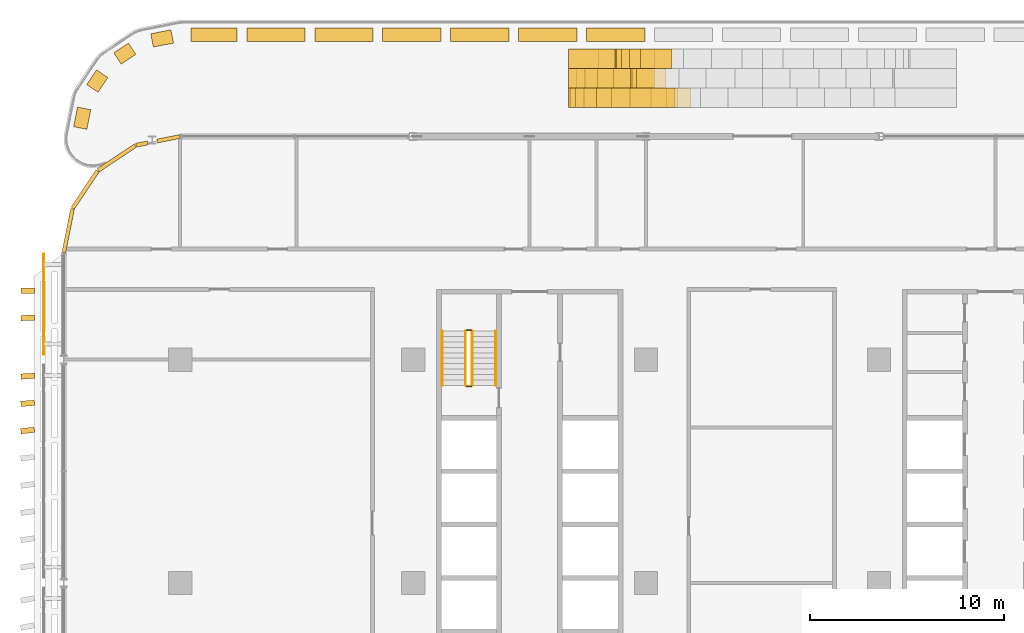
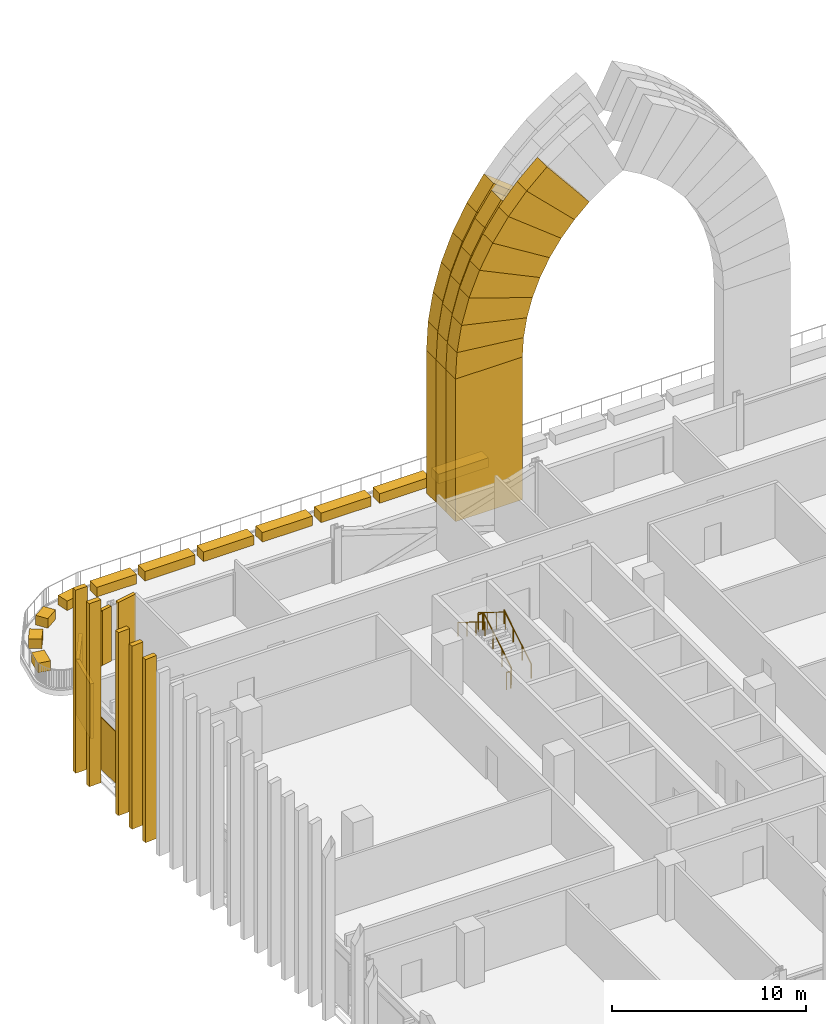
# One storey, part 24 of 30: 45 coverings, 6 railings.
"""IFC4 building model written with IfcOpenShell, lengths in metres."""

from ifc_helpers import new_model, si_unit, direction, frame, origin, origin_2d, place, context, subcontext, project, spatial, polyline, rectangle, circle, outline, extrude, material, layer, layer_set, type_object, element, save


model = new_model("IFC4")

# Units and contexts
model_context = context("Model", 3, precision=1e-05, world=origin(), true_north=direction((0.0, 1.0)))
body_context = subcontext(model_context, "Body", "Model", "MODEL_VIEW")
ifc_project = project(units=[si_unit("LENGTHUNIT", "METRE"), si_unit("AREAUNIT", "SQUARE_METRE"), si_unit("VOLUMEUNIT", "CUBIC_METRE"), si_unit("PLANEANGLEUNIT", "RADIAN"), si_unit("MASSUNIT", "GRAM", prefix="KILO")], contexts=[model_context])

# Site, building, storey
site_placement = place(None, origin())
site = spatial("IfcSite", under=ifc_project, at=site_placement, CompositionType="ELEMENT")
building_placement = place(site_placement, origin())
building = spatial("IfcBuilding", under=site, at=building_placement, Name="Mahtab Terrace Research Tower", CompositionType="ELEMENT")
storey_placement = place(building_placement, frame((0.0, 0.0, 159.199951171875)))
storey = spatial("IfcBuildingStorey", under=building, at=storey_placement, Name="L37", CompositionType="ELEMENT", Elevation=159.199951171875)

# Coverings
ifc_material_1 = material(Name="Black aluminium cladding panel", Category="aluminium")
ifc_layer_1 = layer(ifc_material_1, 0.199951171875)
ifc_layer_set_1 = layer_set([ifc_layer_1], Name="Black metal corner cladding 200")
covering_type_1 = type_object("IfcCoveringType", Name="Black metal corner cladding 200", PredefinedType="CLADDING", material=ifc_layer_set_1)
covering_1_placement = place(storey_placement, frame((-42.603271484375, 22.8798828125, 0.0), z_axis=(0.0, 0.0, 1.0), x_axis=(-0.980760981187, -0.195212442692, 0.0)))
element("IfcCovering", 1, at=covering_1_placement, inside=storey, type_object=covering_type_1, Name="Corner cladding L37 10", PredefinedType="CLADDING", context=body_context, shape_type="SweptSolid", body=[
    extrude(rectangle(XDim=1.1904296875, YDim=0.199951171875, at=origin_2d()), origin(), (0.0, 0.0, 1.0), 3.4599609375),
])
covering_2_placement = place(storey_placement, frame((-43.9716796875, 22.607666015625, 0.0), z_axis=(0.0, 0.0, 1.0), x_axis=(-0.980760981187, -0.195212442692, 0.0)))
element("IfcCovering", 2, at=covering_2_placement, inside=storey, type_object=covering_type_1, Name="Corner cladding L37 11", PredefinedType="CLADDING", context=body_context, shape_type="SweptSolid", body=[
    extrude(rectangle(XDim=0.62158203125, YDim=0.199951171875, at=origin_2d()), origin(), (0.0, 0.0, 1.0), 3.4599609375),
])
for number, where, z_axis, x_axis, name in (
    (3, (-45.26953125, 21.89306640625, 0.0), (0.0, 0.0, 1.0), (-0.831655794326, -0.555291490808, 0.0), "Corner cladding L37 12"),
    (4, (-46.89306640625, 20.26953125, 0.0), (0.0, 0.0, 1.0), (-0.555291490808, -0.831655794326, 0.0), "Corner cladding L37 13"),
    (5, (-47.771484375, 18.14794921875, 0.0), (0.0, 0.0, 1.0), (-0.195212442692, -0.980760981187, 0.0), "Corner cladding L37 14"),
):
    element("IfcCovering", number, at=place(storey_placement, frame(where, z_axis=z_axis, x_axis=x_axis)), inside=storey, type_object=covering_type_1, Name=name, PredefinedType="CLADDING", context=body_context, shape_type="SweptSolid", body=[
        extrude(rectangle(XDim=2.30126953125, YDim=0.199951171875, at=origin_2d()), origin(), (0.0, 0.0, 1.0), 3.4599609375),
    ])
ifc_material_2 = material(Name="Glazed ceramic tile cladding", Category="masonry")
ifc_layer_2 = layer(ifc_material_2, 1.0)
ifc_layer_set_2 = layer_set([ifc_layer_2], Name="Iwan portal cladding arch course 800")
covering_type_2 = type_object("IfcCoveringType", Name="Iwan portal cladding arch course 800", PredefinedType="CLADDING", material=ifc_layer_set_2)
covering_3_placement = place(storey_placement, frame((-18.0, 24.5, 9.030029296875), z_axis=(0.0, -1.0, 0.0), x_axis=(0.054985017031, 0.0, 0.998487179638)))
element("IfcCovering", 6, at=covering_3_placement, inside=storey, type_object=covering_type_2, Name="Iwan portal arch course 4.2.1E1", PredefinedType="CLADDING", context=body_context, shape_type="SweptSolid", body=[
    extrude(outline(polyline([(0.0, 0.0), (1.1988351065344451, 0.0), (1.4227225989084686, 3.9932049750006704), (-0.21994006812347563, 3.993948718553337), (0.0, 0.0)])), origin(), (0.0, 0.0, -1.0), 1.0),
])
covering_4_placement = place(storey_placement, frame((-17.93408203125, 24.5, 10.22705078125), z_axis=(0.0, -1.0, 0.0), x_axis=(0.166150874454, 0.0, 0.98610034323)))
element("IfcCovering", 7, at=covering_4_placement, inside=storey, type_object=covering_type_2, Name="Iwan portal arch course 4.2.1E2", PredefinedType="CLADDING", context=body_context, shape_type="SweptSolid", body=[
    extrude(outline(polyline([(0.0, 0.0), (1.197553789766393, 0.0), (1.4181135708206742, 3.994017136573441), (-0.22346930273874333, 3.993228399721846), (0.0, 0.0)])), origin(), (0.0, 0.0, -1.0), 1.0),
])
covering_5_placement = place(storey_placement, frame((-17.735107421875, 24.5, 11.407958984375), z_axis=(0.0, -1.0, 0.0), x_axis=(0.27445221207, 0.0, 0.961600740063)))
element("IfcCovering", 8, at=covering_5_placement, inside=storey, type_object=covering_type_2, Name="Iwan portal arch course 4.2.1E3", PredefinedType="CLADDING", context=body_context, shape_type="SweptSolid", body=[
    extrude(outline(polyline([(0.0, 0.0), (1.199121552047934, -5.551115123125783e-17), (1.4192913169246821, 3.994830472077114), (-0.2236030718774017, 3.9938479152952238), (0.0, 0.0)])), origin(), (0.0, 0.0, -1.0), 1.0),
])
covering_6_placement = place(storey_placement, frame((-17.406005859375, 24.5, 12.56103515625), z_axis=(0.0, -1.0, 0.0), x_axis=(0.378894584759, 0.0, 0.925439837937)))
element("IfcCovering", 9, at=covering_6_placement, inside=storey, type_object=covering_type_2, Name="Iwan portal arch course 4.2.1E4", PredefinedType="CLADDING", context=body_context, shape_type="SweptSolid", body=[
    extrude(outline(polyline([(0.0, 0.0), (1.198490505712443, 0.0), (1.4207259835922814, 3.994062298232907), (-0.22202973205685494, 3.994727528140624), (0.0, 0.0)])), origin(), (0.0, 0.0, -1.0), 1.0),
])
covering_7_placement = place(storey_placement, frame((-16.951904296875, 24.5, 13.670166015625), z_axis=(0.0, -1.0, 0.0), x_axis=(0.478952042529, 0.0, 0.877841068165)))
element("IfcCovering", 10, at=covering_7_placement, inside=storey, type_object=covering_type_2, Name="Iwan portal arch course 4.2.1E5", PredefinedType="CLADDING", context=body_context, shape_type="SweptSolid", body=[
    extrude(outline(polyline([(0.0, 0.0), (1.1983968297629959, 0.0), (1.4202998293334266, 3.994376096565172), (-0.22100012408733938, 3.9941308434936618), (0.0, 0.0)])), origin(), (0.0, 0.0, -1.0), 1.0),
])
covering_8_placement = place(storey_placement, frame((-16.3779296875, 24.5, 14.72216796875), z_axis=(0.0, -1.0, 0.0), x_axis=(0.573270912999, 0.0, 0.819365889154)))
element("IfcCovering", 11, at=covering_8_placement, inside=storey, type_object=covering_type_2, Name="Iwan portal arch course 4.2.1E6", PredefinedType="CLADDING", context=body_context, shape_type="SweptSolid", body=[
    extrude(outline(polyline([(0.0, 0.0), (1.1984067273820767, 1.1102230246251565e-16), (1.420868574657454, 3.9940037544427716), (-0.22205539999335344, 3.9943676272175255), (0.0, 0.0)])), origin(), (0.0, 0.0, -1.0), 1.0),
])
covering_9_placement = place(storey_placement, frame((-15.69091796875, 24.5, 15.7041015625), z_axis=(0.0, -1.0, 0.0), x_axis=(0.660664622218, 0.0, 0.750681195282)))
element("IfcCovering", 12, at=covering_9_placement, inside=storey, type_object=covering_type_2, Name="Iwan portal arch course 4.2.1E7", PredefinedType="CLADDING", context=body_context, shape_type="SweptSolid", body=[
    extrude(outline(polyline([(0.0, 0.0), (1.1987809863973395, -1.1102230246251565e-16), (1.4201413711254838, 3.994099992173581), (-0.22217640653792659, 3.994019642962966), (0.0, 0.0)])), origin(), (0.0, 0.0, -1.0), 1.0),
])
covering_10_placement = place(storey_placement, frame((-14.89892578125, 24.5, 16.60400390625), z_axis=(0.0, -1.0, 0.0), x_axis=(0.739644885343, 0.0, 0.672997357785)))
element("IfcCovering", 13, at=covering_10_placement, inside=storey, type_object=covering_type_2, Name="Iwan portal arch course 4.2.1E8", PredefinedType="CLADDING", context=body_context, shape_type="SweptSolid", body=[
    extrude(outline(polyline([(0.0, 0.0), (1.1978536533976254, 0.0), (1.4207535952303463, 3.9937987713876453), (-0.2217931901812702, 3.9940759817756604), (0.0, 0.0)])), origin(), (0.0, 0.0, -1.0), 1.0),
])
covering_11_placement = place(storey_placement, frame((-18.800048828125, 25.5, 9.030029296875), z_axis=(0.0, -1.0, 0.0), x_axis=(0.055191226399, 0.0, 0.998475802676)))
element("IfcCovering", 14, at=covering_11_placement, inside=storey, type_object=covering_type_2, Name="Iwan portal arch course 4.2.2E1", PredefinedType="CLADDING", context=body_context, shape_type="SweptSolid", body=[
    extrude(outline(polyline([(0.0, 0.0), (1.3580269322667167, 0.0), (1.536962013624163, 3.1946766047444584), (-0.17660922959347186, 3.1950738148604), (0.0, 0.0)])), origin(), (0.0, 0.0, -1.0), 1.0),
])
covering_12_placement = place(storey_placement, frame((-18.72509765625, 25.5, 10.385986328125), z_axis=(0.0, -1.0, 0.0), x_axis=(0.166350474781, 0.0, 0.986066691223)))
element("IfcCovering", 15, at=covering_12_placement, inside=storey, type_object=covering_type_2, Name="Iwan portal arch course 4.2.2E2", PredefinedType="CLADDING", context=body_context, shape_type="SweptSolid", body=[
    extrude(outline(polyline([(0.0, 0.0), (1.3590235858818585, 2.7755575615628914e-17), (1.5337160661791445, 3.195656559120512), (-0.17894872191981426, 3.1946758407020326), (0.0, 0.0)])), origin(), (0.0, 0.0, -1.0), 1.0),
])
covering_13_placement = place(storey_placement, frame((-18.4990234375, 25.5, 11.72607421875), z_axis=(0.0, -1.0, 0.0), x_axis=(0.274008654418, 0.0, 0.961727226039)))
element("IfcCovering", 16, at=covering_13_placement, inside=storey, type_object=covering_type_2, Name="Iwan portal arch course 4.2.2E3", PredefinedType="CLADDING", context=body_context, shape_type="SweptSolid", body=[
    extrude(outline(polyline([(0.0, 0.0), (1.3578779593295613, 0.0), (1.5353999246498446, 3.194843873509826), (-0.1785554394605402, 3.195443046208369), (0.0, 0.0)])), origin(), (0.0, 0.0, -1.0), 1.0),
])
covering_14_placement = place(storey_placement, frame((-18.126953125, 25.5, 13.031982421875), z_axis=(0.0, -1.0, 0.0), x_axis=(0.378415838613, 0.0, 0.925635702146)))
element("IfcCovering", 17, at=covering_14_placement, inside=storey, type_object=covering_type_2, Name="Iwan portal arch course 4.2.2E4", PredefinedType="CLADDING", context=body_context, shape_type="SweptSolid", body=[
    extrude(outline(polyline([(0.0, 0.0), (1.3580721607980304, 0.0), (1.5376096745140528, 3.194405582655918), (-0.17595449056700674, 3.1949305847739087), (0.0, 0.0)])), origin(), (0.0, 0.0, -1.0), 1.0),
])
covering_15_placement = place(storey_placement, frame((-17.613037109375, 25.5, 14.2890625), z_axis=(0.0, -1.0, 0.0), x_axis=(0.47941878879, 0.0, 0.877586249297)))
element("IfcCovering", 18, at=covering_15_placement, inside=storey, type_object=covering_type_2, Name="Iwan portal arch course 4.2.2E5", PredefinedType="CLADDING", context=body_context, shape_type="SweptSolid", body=[
    extrude(outline(polyline([(0.0, 0.0), (1.3581508737233285, 1.1102230246251565e-16), (1.535112282874346, 3.194936984609274), (-0.1783195243449227, 3.1944738052724784), (0.0, 0.0)])), origin(), (0.0, 0.0, -1.0), 1.0),
])
covering_16_placement = place(storey_placement, frame((-16.9619140625, 25.5, 15.48095703125), z_axis=(0.0, -1.0, 0.0), x_axis=(0.573305531521, 0.0, 0.819341667149)))
element("IfcCovering", 19, at=covering_16_placement, inside=storey, type_object=covering_type_2, Name="Iwan portal arch course 4.2.2E6", PredefinedType="CLADDING", context=body_context, shape_type="SweptSolid", body=[
    extrude(outline(polyline([(0.0, 0.0), (1.3584529555876084, 0.0), (1.5359713438313862, 3.1948105649984546), (-0.17657538685367147, 3.194958342249612), (0.0, 0.0)])), origin(), (0.0, 0.0, -1.0), 1.0),
])
covering_17_placement = place(storey_placement, frame((-19.60009765625, 26.5, 9.030029296875), z_axis=(0.0, -1.0, 0.0), x_axis=(0.055309729531, 0.0, 0.998469245305)))
element("IfcCovering", 20, at=covering_17_placement, inside=storey, type_object=covering_type_2, Name="Iwan portal arch course 4.2.3E1", PredefinedType="CLADDING", context=body_context, shape_type="SweptSolid", body=[
    extrude(outline(polyline([(0.0, 0.0), (1.5184376367921015, 0.0), (1.6519990552692072, 2.3958202840807363), (-0.13273794953257928, 2.3962286819689456), (0.0, 0.0)])), origin(), (0.0, 0.0, -1.0), 1.0),
])
covering_18_placement = place(storey_placement, frame((-19.51611328125, 26.5, 10.546142578125), z_axis=(0.0, -1.0, 0.0), x_axis=(0.16614621839, 0.0, 0.986101127732)))
element("IfcCovering", 21, at=covering_18_placement, inside=storey, type_object=covering_type_2, Name="Iwan portal arch course 4.2.3E2", PredefinedType="CLADDING", context=body_context, shape_type="SweptSolid", body=[
    extrude(outline(polyline([(0.0, 0.0), (1.5179235980768908, -2.7755575615628914e-17), (1.649701100798024, 2.396264156299174), (-0.13404593094004486, 2.395793224490948), (0.0, 0.0)])), origin(), (0.0, 0.0, -1.0), 1.0),
])
covering_19_placement = place(storey_placement, frame((-19.263916015625, 26.5, 12.04296875), z_axis=(0.0, -1.0, 0.0), x_axis=(0.274041357069, 0.0, 0.961717908025)))
element("IfcCovering", 22, at=covering_19_placement, inside=storey, type_object=covering_type_2, Name="Iwan portal arch course 4.2.3E3", PredefinedType="CLADDING", context=body_context, shape_type="SweptSolid", body=[
    extrude(outline(polyline([(0.0, 0.0), (1.5180760650474732, -5.551115123125783e-17), (1.650691717733535, 2.396137745228775), (-0.13368816842764542, 2.3961583191872093), (0.0, 0.0)])), origin(), (0.0, 0.0, -1.0), 1.0),
])
covering_20_placement = place(storey_placement, frame((-18.847900390625, 26.5, 13.5029296875), z_axis=(0.0, -1.0, 0.0), x_axis=(0.378726772963, 0.0, 0.925508525861)))
element("IfcCovering", 23, at=covering_20_placement, inside=storey, type_object=covering_type_2, Name="Iwan portal arch course 4.2.3E4", PredefinedType="CLADDING", context=body_context, shape_type="SweptSolid", body=[
    extrude(outline(polyline([(0.0, 0.0), (1.5181159952775325, 0.0), (1.651622750133583, 2.3960392670320374), (-0.13321248431678911, 2.3961046386728477), (0.0, 0.0)])), origin(), (0.0, 0.0, -1.0), 1.0),
])
covering_21_placement = place(storey_placement, frame((-18.27294921875, 26.5, 14.907958984375), z_axis=(0.0, -1.0, 0.0), x_axis=(0.47910009193, 0.0, 0.87776027588)))
element("IfcCovering", 24, at=covering_21_placement, inside=storey, type_object=covering_type_2, Name="Iwan portal arch course 4.2.3E5", PredefinedType="CLADDING", context=body_context, shape_type="SweptSolid", body=[
    extrude(outline(polyline([(0.0, 0.0), (1.517534213615231, 0.0), (1.6511059376898998, 2.395935180793397), (-0.13323016868414328, 2.3960546623364025), (0.0, 0.0)])), origin(), (0.0, 0.0, -1.0), 1.0),
])
covering_22_placement = place(storey_placement, frame((-17.5458984375, 26.5, 16.239990234375), z_axis=(0.0, -1.0, 0.0), x_axis=(0.57344076527, 0.0, 0.819247025461)))
element("IfcCovering", 25, at=covering_22_placement, inside=storey, type_object=covering_type_2, Name="Iwan portal arch course 4.2.3E6", PredefinedType="CLADDING", context=body_context, shape_type="SweptSolid", body=[
    extrude(outline(polyline([(0.0, 0.0), (1.5186391727214141, 1.1102230246251565e-16), (1.6514474632176972, 2.396249870126384), (-0.1328220667972584, 2.395976856025006), (0.0, 0.0)])), origin(), (0.0, 0.0, -1.0), 1.0),
])
ifc_layer_3 = layer(ifc_material_2, 1.0)
ifc_layer_set_3 = layer_set([ifc_layer_3], Name="Iwan portal cladding pilaster 900")
covering_type_3 = type_object("IfcCoveringType", Name="Iwan portal cladding pilaster 900", PredefinedType="CLADDING", material=ifc_layer_set_3)
covering_23_placement = place(storey_placement, frame((-20.0, 25.0, 0.030029296875), z_axis=(0.0, 0.0, 1.0), x_axis=(-1.0, 0.0, 0.0)))
element("IfcCovering", 26, at=covering_23_placement, inside=storey, type_object=covering_type_3, Name="Iwan portal pilaster 4.2.1E", PredefinedType="CLADDING", context=body_context, shape_type="SweptSolid", body=[
    extrude(rectangle(XDim=4.0, YDim=1.0, at=origin_2d()), origin(), (0.0, 0.0, 1.0), 9.0),
])
covering_24_placement = place(storey_placement, frame((-20.39990234375, 26.0, 0.030029296875), z_axis=(0.0, 0.0, 1.0), x_axis=(-1.0, 0.0, 0.0)))
element("IfcCovering", 27, at=covering_24_placement, inside=storey, type_object=covering_type_3, Name="Iwan portal pilaster 4.2.2E", PredefinedType="CLADDING", context=body_context, shape_type="SweptSolid", body=[
    extrude(rectangle(XDim=3.199951171875, YDim=1.0, at=origin_2d()), origin(), (0.0, 0.0, 1.0), 9.0),
])
covering_25_placement = place(storey_placement, frame((-20.800048828125, 27.0, 0.030029296875), z_axis=(0.0, 0.0, 1.0), x_axis=(-1.0, 0.0, 0.0)))
element("IfcCovering", 28, at=covering_25_placement, inside=storey, type_object=covering_type_3, Name="Iwan portal pilaster 4.2.3E", PredefinedType="CLADDING", context=body_context, shape_type="SweptSolid", body=[
    extrude(rectangle(XDim=2.39990234375, YDim=1.0, at=origin_2d()), origin(), (0.0, 0.0, 1.0), 9.0),
])
ifc_material_3 = material(Name="Planting soil and shrubs")
ifc_layer_4 = layer(ifc_material_3, 0.1201171875)
ifc_layer_set_4 = layer_set([ifc_layer_4], Name="Planter")
covering_type_4 = type_object("IfcCoveringType", Name="Planter", PredefinedType="USERDEFINED", material=ifc_layer_set_4)
for number, where, z_axis, x_axis, name in (
    (29, (-19.56591796875, 28.25, 0.030029296875), (0.0, 0.0, 1.0), (-1.0, 0.0, 0.0), "PLANTER terrace 4"),
    (30, (-23.06591796875, 28.25, 0.030029296875), (0.0, 0.0, 1.0), (-1.0, 0.0, 0.0), "PLANTER terrace 4"),
    (31, (-26.56591796875, 28.25, 0.030029296875), (0.0, 0.0, 1.0), (-1.0, 0.0, 0.0), "PLANTER terrace 4"),
    (32, (-30.06591796875, 28.25, 0.030029296875), (0.0, 0.0, 1.0), (-1.0, 0.0, 0.0), "PLANTER terrace 4"),
    (33, (-33.56591796875, 28.25, 0.030029296875), (0.0, 0.0, 1.0), (-1.0, 0.0, 0.0), "PLANTER terrace 4"),
    (34, (-37.06591796875, 28.25, 0.030029296875), (0.0, 0.0, 1.0), (-1.0, 0.0, 0.0), "PLANTER terrace 4"),
):
    element("IfcCovering", number, at=place(storey_placement, frame(where, z_axis=z_axis, x_axis=x_axis)), inside=storey, type_object=covering_type_4, Name=name, ObjectType="PLANTER", PredefinedType="USERDEFINED", context=body_context, shape_type="SweptSolid", body=[
        extrude(rectangle(XDim=3.0, YDim=0.699951171875, at=origin_2d()), origin(), (0.0, 0.0, 1.0), 0.60009765625),
    ])
covering_26_placement = place(storey_placement, frame((-40.25, 28.25, 0.030029296875), z_axis=(0.0, 0.0, 1.0), x_axis=(-1.0, 0.0, 0.0)))
element("IfcCovering", 35, at=covering_26_placement, inside=storey, type_object=covering_type_4, Name="PLANTER terrace 4", ObjectType="PLANTER", PredefinedType="USERDEFINED", context=body_context, shape_type="SweptSolid", body=[
    extrude(rectangle(XDim=2.368408203125, YDim=0.699951171875, at=origin_2d()), origin(), (0.0, 0.0, 1.0), 0.60009765625),
])
covering_27_placement = place(storey_placement, frame((-42.92822265625, 28.05029296875, 0.030029296875), z_axis=(0.0, 0.0, 1.0), x_axis=(-0.980742754391, -0.195303993071, 0.0)))
element("IfcCovering", 36, at=covering_27_placement, inside=storey, type_object=covering_type_4, Name="PLANTER terrace 4", ObjectType="PLANTER", PredefinedType="USERDEFINED", context=body_context, shape_type="SweptSolid", body=[
    extrude(rectangle(XDim=1.060546875, YDim=0.699951171875, at=origin_2d()), origin(), (0.0, 0.0, 1.0), 0.60009765625),
])
for number, where, z_axis, x_axis, name in (
    (37, (-44.853759765625, 27.268798828125, 0.030029296875), (0.0, 0.0, 1.0), (-0.831344457855, -0.555757494231, 0.0), "PLANTER terrace 4"),
    (38, (-46.268798828125, 25.853759765625, 0.030029296875), (0.0, 0.0, 1.0), (-0.555757494231, -0.831344457855, 0.0), "PLANTER terrace 4"),
):
    element("IfcCovering", number, at=place(storey_placement, frame(where, z_axis=z_axis, x_axis=x_axis)), inside=storey, type_object=covering_type_4, Name=name, ObjectType="PLANTER", PredefinedType="USERDEFINED", context=body_context, shape_type="SweptSolid", body=[
        extrude(rectangle(XDim=0.908447265625, YDim=0.699951171875, at=origin_2d()), origin(), (0.0, 0.0, 1.0), 0.60009765625),
    ])
covering_28_placement = place(storey_placement, frame((-47.0478515625, 23.941162109375, 0.030029296875), z_axis=(0.0, 0.0, 1.0), x_axis=(-0.195395445655, -0.980724538195, 0.0)))
element("IfcCovering", 39, at=covering_28_placement, inside=storey, type_object=covering_type_4, Name="PLANTER terrace 4", ObjectType="PLANTER", PredefinedType="USERDEFINED", context=body_context, shape_type="SweptSolid", body=[
    extrude(rectangle(XDim=1.0341796875, YDim=0.699951171875, at=origin_2d()), origin(), (0.0, 0.0, 1.0), 0.60009765625),
])
ifc_material_4 = material(Name="Bronze anodised aluminium", Category="aluminium")
ifc_layer_5 = layer(ifc_material_4, 0.050048828125)
ifc_layer_set_5 = layer_set([ifc_layer_5], Name="Sky lounge girih screen panel")
covering_type_5 = type_object("IfcCoveringType", Name="Sky lounge girih screen panel", PredefinedType="CLADDING", material=ifc_layer_set_5)
covering_29_placement = place(storey_placement, frame((-49.02490234375, 14.35400390625, 0.10009765625), z_axis=(0.0, 0.0, 1.0), x_axis=(0.0, -1.0, 0.0)))
element("IfcCovering", 40, at=covering_29_placement, inside=storey, type_object=covering_type_5, Name="Girih screen L37 W16", PredefinedType="CLADDING", context=body_context, shape_type="SweptSolid", body=[
    extrude(rectangle(XDim=5.19189453125, YDim=0.050048828125, at=origin_2d()), origin(), (0.0, 0.0, 1.0), 3.260009765625),
])

# Railings
ifc_material_5 = material(Name="Stainless steel AISI 304", Category="steel")
railing_type_1 = type_object("IfcRailingType", Name="Stair guard 1100", PredefinedType="GUARDRAIL", material=ifc_material_5)
railing_1_placement = place(storey_placement, frame((-26.949951171875, 10.175048828125, 0.1728515625)))
element("IfcRailing", 41, at=railing_1_placement, inside=storey, type_object=railing_type_1, Name="L37 ST1 stair guard 1", PredefinedType="GUARDRAIL", context=body_context, shape_type="SweptSolid", body=[
    extrude(circle(Radius=0.02392578125, at=origin_2d()), frame((0.0, 0.0, 1.076171875), z_axis=(0.0, 0.851089632645, 0.525020415988), x_axis=(-1.0, 0.0, 0.0)), (0.0, 0.0, 1.0), 3.2900390625),
    extrude(circle(Radius=0.02099609375, at=origin_2d()), origin(), (0.0, 0.0, 1.0), 1.052001953125),
    extrude(circle(Radius=0.02099609375, at=origin_2d()), frame((0.0, 0.933349609375, 0.57568359375)), (0.0, 0.0, 1.0), 1.052001953125),
    extrude(circle(Radius=0.02099609375, at=origin_2d()), frame((0.0, 1.86669921875, 1.151611328125)), (0.0, 0.0, 1.0), 1.052001953125),
    extrude(circle(Radius=0.02099609375, at=origin_2d()), frame((0.0, 2.800048828125, 1.727294921875)), (0.0, 0.0, 1.0), 1.052001953125),
])
railing_2_placement = place(storey_placement, frame((-27.0, 13.02490234375, 1.900146484375)))
element("IfcRailing", 42, at=railing_2_placement, inside=storey, type_object=railing_type_1, Name="L37 ST1 stair guard 2", PredefinedType="GUARDRAIL", context=body_context, shape_type="SweptSolid", body=[
    extrude(circle(Radius=0.02392578125, at=origin_2d()), frame((0.0, 0.0, 1.076171875), z_axis=(-1.0, 0.0, 0.0), x_axis=(0.0, -1.0, 0.0)), (0.0, 0.0, 1.0), 0.25),
    extrude(circle(Radius=0.02099609375, at=origin_2d()), origin(), (0.0, 0.0, 1.0), 1.052001953125),
    extrude(circle(Radius=0.02099609375, at=origin_2d()), frame((-0.25, 0.0, 0.0)), (0.0, 0.0, 1.0), 1.052001953125),
])
railing_3_placement = place(storey_placement, frame((-27.300048828125, 12.97509765625, 2.07275390625)))
element("IfcRailing", 43, at=railing_3_placement, inside=storey, type_object=railing_type_1, Name="L37 ST1 stair guard 3", PredefinedType="GUARDRAIL", context=body_context, shape_type="SweptSolid", body=[
    extrude(circle(Radius=0.02392578125, at=origin_2d()), frame((0.0, 0.0, 1.076171875), z_axis=(0.0, -0.851089632645, 0.525020415988), x_axis=(1.0, 0.0, 0.0)), (0.0, 0.0, 1.0), 3.2900390625),
    extrude(circle(Radius=0.02099609375, at=origin_2d()), origin(), (0.0, 0.0, 1.0), 1.052001953125),
    extrude(circle(Radius=0.02099609375, at=origin_2d()), frame((0.0, -0.933349609375, 0.57568359375)), (0.0, 0.0, 1.0), 1.052001953125),
    extrude(circle(Radius=0.02099609375, at=origin_2d()), frame((0.0, -1.86669921875, 1.151611328125)), (0.0, 0.0, 1.0), 1.052001953125),
    extrude(circle(Radius=0.02099609375, at=origin_2d()), frame((0.0, -2.800048828125, 1.727294921875)), (0.0, 0.0, 1.0), 1.052001953125),
])
railing_4_placement = place(storey_placement, frame((-27.0, 10.125, 0.0)))
element("IfcRailing", 44, at=railing_4_placement, inside=storey, type_object=railing_type_1, Name="L37 ST1 stair guard 4", PredefinedType="GUARDRAIL", context=body_context, shape_type="SweptSolid", body=[
    extrude(circle(Radius=0.02392578125, at=origin_2d()), frame((0.0, 0.0, 1.076171875), z_axis=(-1.0, 0.0, 0.0), x_axis=(0.0, -1.0, 0.0)), (0.0, 0.0, 1.0), 0.25),
    extrude(circle(Radius=0.02099609375, at=origin_2d()), origin(), (0.0, 0.0, 1.0), 1.052001953125),
    extrude(circle(Radius=0.02099609375, at=origin_2d()), frame((-0.25, 0.0, 0.0)), (0.0, 0.0, 1.0), 1.052001953125),
])
railing_type_2 = type_object("IfcRailingType", Name="Stair handrail 900", PredefinedType="HANDRAIL", material=ifc_material_5)
railing_5_placement = place(storey_placement, frame((-25.75, 10.175048828125, 0.1728515625)))
element("IfcRailing", 45, at=railing_5_placement, inside=storey, type_object=railing_type_2, Name="L37 ST1 stair handrail 1", PredefinedType="HANDRAIL", context=body_context, shape_type="SweptSolid", body=[
    extrude(circle(Radius=0.02392578125, at=origin_2d()), frame((0.0, 0.0, 0.8759765625), z_axis=(0.0, 0.851089632645, 0.525020415988), x_axis=(-1.0, 0.0, 0.0)), (0.0, 0.0, 1.0), 3.2900390625),
    extrude(circle(Radius=0.02099609375, at=origin_2d()), origin(), (0.0, 0.0, 1.0), 0.851806640625),
    extrude(circle(Radius=0.02099609375, at=origin_2d()), frame((0.0, 0.933349609375, 0.57568359375)), (0.0, 0.0, 1.0), 0.851806640625),
    extrude(circle(Radius=0.02099609375, at=origin_2d()), frame((0.0, 1.86669921875, 1.151611328125)), (0.0, 0.0, 1.0), 0.851806640625),
    extrude(circle(Radius=0.02099609375, at=origin_2d()), frame((0.0, 2.800048828125, 1.727294921875)), (0.0, 0.0, 1.0), 0.851806640625),
])
railing_6_placement = place(storey_placement, frame((-28.5, 12.97509765625, 2.07275390625)))
element("IfcRailing", 46, at=railing_6_placement, inside=storey, type_object=railing_type_2, Name="L37 ST1 stair handrail 2", PredefinedType="HANDRAIL", context=body_context, shape_type="SweptSolid", body=[
    extrude(circle(Radius=0.02392578125, at=origin_2d()), frame((0.0, 0.0, 0.8759765625), z_axis=(0.0, -0.851089632645, 0.525020415988), x_axis=(1.0, 0.0, 0.0)), (0.0, 0.0, 1.0), 3.2900390625),
    extrude(circle(Radius=0.02099609375, at=origin_2d()), origin(), (0.0, 0.0, 1.0), 0.851806640625),
    extrude(circle(Radius=0.02099609375, at=origin_2d()), frame((0.0, -0.933349609375, 0.57568359375)), (0.0, 0.0, 1.0), 0.851806640625),
    extrude(circle(Radius=0.02099609375, at=origin_2d()), frame((0.0, -1.86669921875, 1.151611328125)), (0.0, 0.0, 1.0), 0.851806640625),
    extrude(circle(Radius=0.02099609375, at=origin_2d()), frame((0.0, -2.800048828125, 1.727294921875)), (0.0, 0.0, 1.0), 0.851806640625),
])

# Coverings
ifc_layer_6 = layer(ifc_material_4, 0.1201171875)
ifc_layer_set_6 = layer_set([ifc_layer_6], Name="Vertical fin 700")
covering_type_6 = type_object("IfcCoveringType", Name="Vertical fin 700", PredefinedType="CLADDING", material=ifc_layer_set_6)
for number, where, z_axis, x_axis, name in (
    (47, (-49.852783203125, 15.053955078125, -0.14990234375), (0.0, 0.0, 1.0), (0.019977557519, -0.999800428683, 0.0), "Fin L37 W1"),
    (48, (-49.8544921875, 13.654052734375, -0.14990234375), (0.0, 0.0, 1.0), (0.034345430387, -0.999410021669, 0.0), "Fin L37 W2"),
    (49, (-49.8583984375, 10.64990234375, -0.14990234375), (0.0, 0.0, 1.0), (0.06514701056, -0.997875677134, 0.0), "Fin L37 W1"),
    (50, (-49.860107421875, 9.25, -0.14990234375), (0.0, 0.0, 1.0), (0.079482553594, -0.996836257203, 0.0), "Fin L37 W2"),
    (51, (-49.861572265625, 7.85009765625, -0.14990234375), (0.0, 0.0, 1.0), (0.093801676489, -0.995590902674, 0.0), "Fin L37 W3"),
):
    element("IfcCovering", number, at=place(storey_placement, frame(where, z_axis=z_axis, x_axis=x_axis)), inside=storey, type_object=covering_type_6, Name=name, PredefinedType="CLADDING", context=body_context, shape_type="SweptSolid", body=[
        extrude(rectangle(XDim=0.280029296875, YDim=0.699951171875, at=origin_2d()), origin(), (0.0, 0.0, 1.0), 11.550048828125),
    ])

save(model, "model.ifc")
